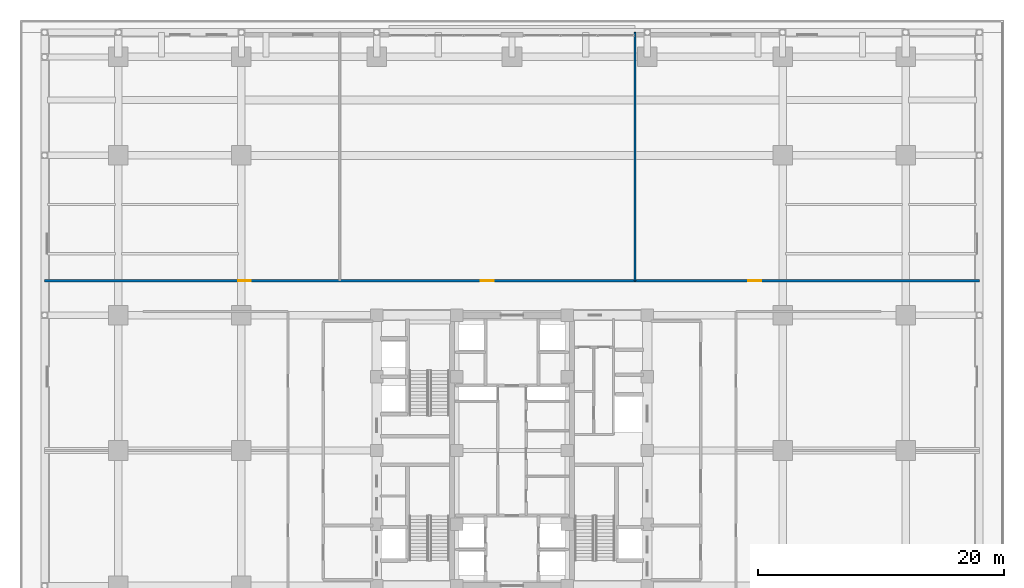
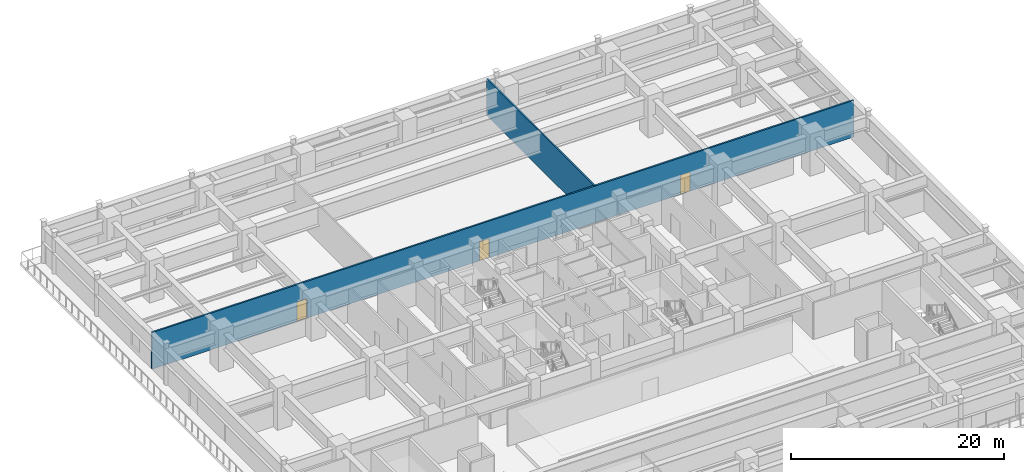
# One storey, part 26 of 35: 3 doors, 2 walls, 3 openings.
"""IFC4 building model written with IfcOpenShell, lengths in metres."""

from ifc_helpers import new_model, si_unit, direction, frame, frame_2d, origin, place, context, subcontext, project, spatial, rectangle, extrude, source, transform, mapped, material, layer, layer_set, type_object, element, fill, save


model = new_model("IFC4")

# Units and contexts
model_context = context("Model", 3, precision=1e-05, world=origin(), true_north=direction((0.0, 1.0)))
body_context = subcontext(model_context, "Body", "Model", "MODEL_VIEW")
ifc_project = project(units=[si_unit("LENGTHUNIT", "METRE"), si_unit("AREAUNIT", "SQUARE_METRE"), si_unit("VOLUMEUNIT", "CUBIC_METRE"), si_unit("PLANEANGLEUNIT", "RADIAN"), si_unit("MASSUNIT", "GRAM", prefix="KILO")], contexts=[model_context])

# Site, building, storey
site_placement = place(None, origin())
site = spatial("IfcSite", under=ifc_project, at=site_placement, CompositionType="ELEMENT")
building_placement = place(site_placement, origin())
building = spatial("IfcBuilding", under=site, at=building_placement, Name="Khorayat Bourse Tower", CompositionType="ELEMENT")
storey_placement = place(building_placement, frame((0.0, 0.0, 22.199951171875)))
storey = spatial("IfcBuildingStorey", under=building, at=storey_placement, Name="L04", CompositionType="ELEMENT", Elevation=22.199951171875)

# Wall, openings, doors
ifc_material_1 = material(Name="Gypsum plasterboard acoustic stud wall")
ifc_layer_1 = layer(ifc_material_1, 0.179931640625)
ifc_layer_set_1 = layer_set([ifc_layer_1], Name="Gypsum plasterboard acoustic stud wall")
wall_type_1 = type_object("IfcWallType", Name="WAL-PART-CORR-180", PredefinedType="PARTITIONING", material=ifc_layer_set_1)
shared_shape_1 = source(origin(), body_context, "Body", "SweptSolid", [
    extrude(rectangle(XDim=76.0, YDim=0.179931640625, at=frame_2d((38.0, 0.0))), origin(), (0.0, 0.0, 1.0), 4.199951171875),
])
wall_1_placement = place(storey_placement, frame((-38.0, 13.800048828125, 0.0), z_axis=(0.0, 0.0, 1.0), x_axis=(1.0, 0.0, 0.0)))
wall_1 = element("IfcWall", 1, at=wall_1_placement, inside=storey, type_object=wall_type_1, Name="L04 Partition WAL-L04-PCORRN-N", PredefinedType="PARTITIONING", context=body_context, shape_type="MappedRepresentation", body=[
    mapped(shared_shape_1, transform((0.0, 0.0, 0.0), scale=1.0)),
])
shared_shape_2 = source(origin(), body_context, "Body", "SweptSolid", [
    extrude(rectangle(XDim=1.050048828125, YDim=2.199951171875, at=frame_2d((0.52490234375, 1.10009765625))), frame((0.0, 0.099853515625, 0.0), z_axis=(0.0, -1.0, 0.0), x_axis=(1.0, 0.0, 0.0)), (0.0, 0.0, 1.0), 0.199951171875),
])
opening_1_placement = place(wall_1_placement, frame((15.72509765625, 0.0, 0.0)))
opening_1 = element("IfcOpeningElement", 2, at=opening_1_placement, cuts=wall_1, Name="Opening DI-04", PredefinedType="OPENING", context=body_context, shape_type="MappedRepresentation", body=[
    mapped(shared_shape_2, transform((0.0, 0.0, 0.0), scale=1.0)),
])
opening_2_placement = place(wall_1_placement, frame((35.47509765625, 0.0, 0.0)))
opening_2 = element("IfcOpeningElement", 3, at=opening_2_placement, cuts=wall_1, Name="Opening DI-04", PredefinedType="OPENING", context=body_context, shape_type="MappedRepresentation", body=[
    mapped(shared_shape_2, transform((0.0, 0.0, 0.0), scale=1.0)),
])
opening_3_placement = place(wall_1_placement, frame((57.22509765625, 0.0, 0.0)))
opening_3 = element("IfcOpeningElement", 4, at=opening_3_placement, cuts=wall_1, Name="Opening DI-04", PredefinedType="OPENING", context=body_context, shape_type="MappedRepresentation", body=[
    mapped(shared_shape_2, transform((0.0, 0.0, 0.0), scale=1.0)),
])
ifc_material_2 = material(Name="Fire-rated oak veneer suite entrance door")
door_type = type_object("IfcDoorType", Name="DR-INT-SUITE-1050", OperationType="NOTDEFINED", PredefinedType="DOOR", material=ifc_material_2)
shared_shape_3 = source(origin(), body_context, "Body", "SweptSolid", [
    extrude(rectangle(XDim=1.050048828125, YDim=2.199951171875, at=frame_2d((0.52490234375, 1.10009765625))), frame((0.0, 0.02490234375, 0.0), z_axis=(0.0, -1.0, 0.0), x_axis=(1.0, 0.0, 0.0)), (0.0, 0.0, 1.0), 0.050048828125),
])
door_1_placement = place(opening_1_placement, origin())
door_1 = element("IfcDoor", 5, at=door_1_placement, inside=storey, type_object=door_type, Name="L04 Executive Boardroom Door", OperationType="SINGLE_SWING_LEFT", OverallHeight=2.199951171875, OverallWidth=1.050048828125, PredefinedType="DOOR", context=body_context, shape_type="MappedRepresentation", body=[
    mapped(shared_shape_3, transform((0.0, 0.0, 0.0), scale=1.0)),
])
fill(opening_1, door_1)
door_2_placement = place(opening_2_placement, origin())
door_2 = element("IfcDoor", 6, at=door_2_placement, inside=storey, type_object=door_type, Name="L04 Media Press Conference Room Door", OperationType="SINGLE_SWING_RIGHT", OverallHeight=2.199951171875, OverallWidth=1.050048828125, PredefinedType="DOOR", context=body_context, shape_type="MappedRepresentation", body=[
    mapped(shared_shape_3, transform((0.0, 0.0, 0.0), scale=1.0)),
])
fill(opening_2, door_2)
door_3_placement = place(opening_3_placement, origin())
door_3 = element("IfcDoor", 7, at=door_3_placement, inside=storey, type_object=door_type, Name="L04 Catering Servery Pantry Door", OperationType="SINGLE_SWING_LEFT", OverallHeight=2.199951171875, OverallWidth=1.050048828125, PredefinedType="DOOR", context=body_context, shape_type="MappedRepresentation", body=[
    mapped(shared_shape_3, transform((0.0, 0.0, 0.0), scale=1.0)),
])
fill(opening_3, door_3)

# Wall
ifc_material_3 = material(Name="Gypsum plasterboard twin-frame partition")
ifc_layer_2 = layer(ifc_material_3, 0.14990234375)
ifc_layer_set_2 = layer_set([ifc_layer_2], Name="Gypsum plasterboard twin-frame partition")
wall_type_2 = type_object("IfcWallType", Name="WAL-PART-SUITE-150", PredefinedType="PARTITIONING", material=ifc_layer_set_2)
shared_shape_4 = source(origin(), body_context, "Body", "SweptSolid", [
    extrude(rectangle(XDim=20.199951171875, YDim=0.14990234375, at=frame_2d((10.10009765625, 0.0))), origin(), (0.0, 0.0, 1.0), 4.199951171875),
])
wall_2_placement = place(storey_placement, frame((10.0, 13.800048828125, 0.0), z_axis=(0.0, 0.0, 1.0), x_axis=(0.0, 1.0, 0.0)))
element("IfcWall", 8, at=wall_2_placement, inside=storey, type_object=wall_type_2, Name="L04 Partition WAL-L04-PN-DIV-2", PredefinedType="PARTITIONING", context=body_context, shape_type="MappedRepresentation", body=[
    mapped(shared_shape_4, transform((0.0, 0.0, 0.0), scale=1.0)),
])

save(model, "model.ifc")
